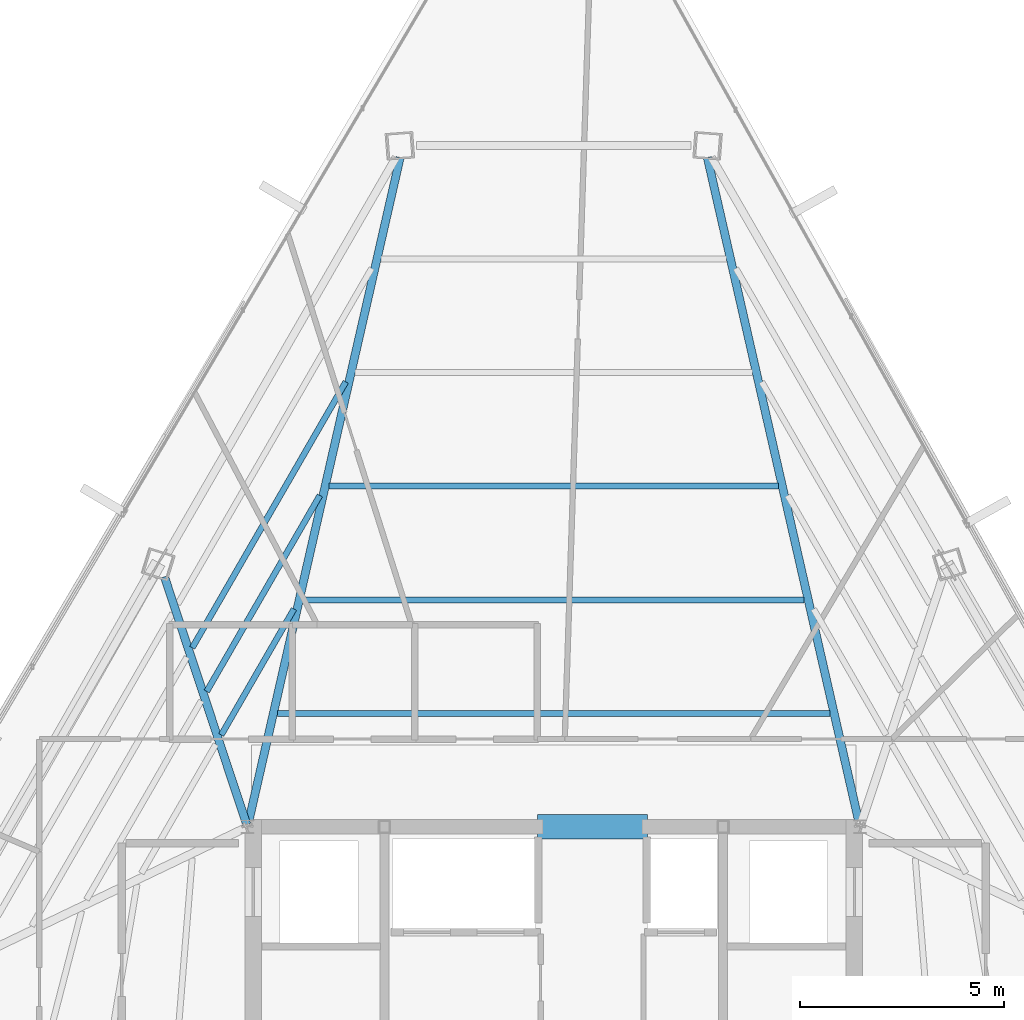
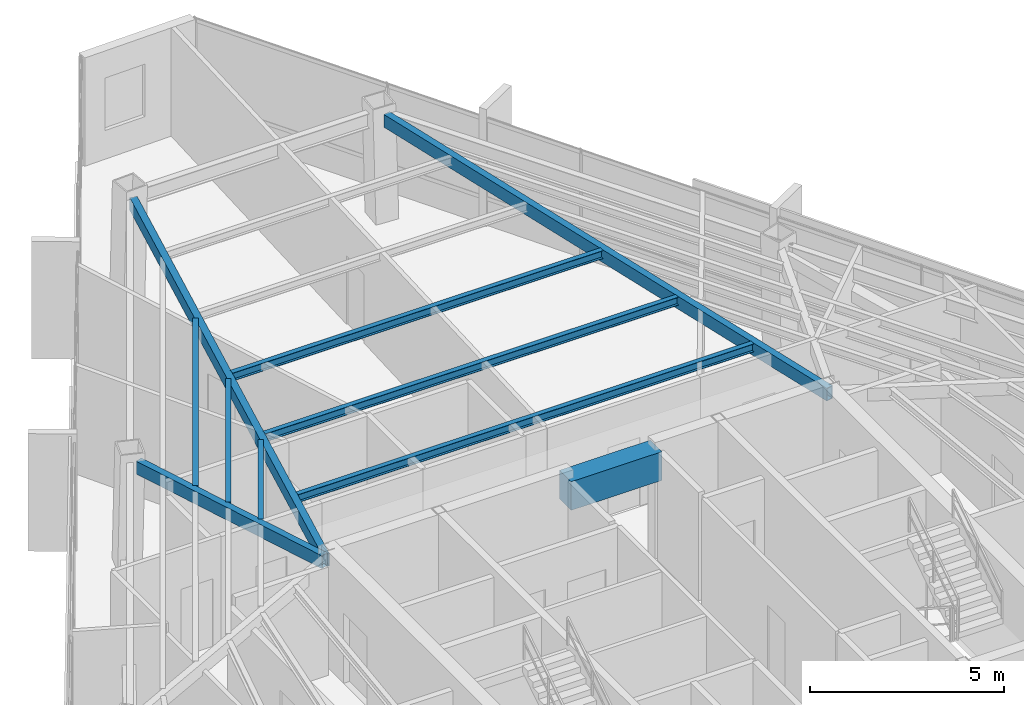
# One storey, part 18 of 44: 10 beams.
"""IFC4 building model written with IfcOpenShell, lengths in metres."""

from ifc_helpers import new_model, si_unit, direction, frame, origin, origin_2d, place, context, subcontext, project, spatial, rectangle, hollow_rectangle, i_section, extrude, source, transform, mapped, material, material_profile, profile_set, type_object, type_shapes, element, save


model = new_model("IFC4")

# Units and contexts
model_context = context("Model", 3, precision=1e-05, world=origin(), true_north=direction((0.0, 1.0)))
body_context = subcontext(model_context, "Body", "Model", "MODEL_VIEW")
ifc_project = project(units=[si_unit("LENGTHUNIT", "METRE"), si_unit("AREAUNIT", "SQUARE_METRE"), si_unit("VOLUMEUNIT", "CUBIC_METRE"), si_unit("PLANEANGLEUNIT", "RADIAN"), si_unit("MASSUNIT", "GRAM", prefix="KILO")], contexts=[model_context])

# Site, building, storey
site_placement = place(None, origin())
site = spatial("IfcSite", under=ifc_project, at=site_placement, CompositionType="ELEMENT")
building_placement = place(site_placement, origin())
building = spatial("IfcBuilding", under=site, at=building_placement, Name="Caelisora Broadcast Tower", CompositionType="ELEMENT")
storey_placement = place(building_placement, frame((0.0, 0.0, 259.050048828125)))
storey = spatial("IfcBuildingStorey", under=building, at=storey_placement, Name="L68", CompositionType="ELEMENT", Elevation=259.050048828125)

# Beams
ifc_material_1 = material(Name="Concrete 50 MPa (AS 3600 S50)", Category="concrete")
ifc_material_profile_1 = material_profile(ifc_material_1, rectangle(XDim=0.60009765625, YDim=0.89990234375, at=origin_2d()), Name="Concrete 50 MPa (AS 3600 S50)")
ifc_profile_set_1 = profile_set([ifc_material_profile_1], Name="Concrete 50 MPa (AS 3600 S50)")
beam_type_1 = type_object("IfcBeamType", Name="CB02", PredefinedType="LINTEL", material=ifc_profile_set_1)
shared_shape_1 = source(origin(), body_context, "Body", "SweptSolid", [
    extrude(rectangle(XDim=0.60009765625, YDim=0.89990234375, at=origin_2d()), origin(), (0.0, 0.0, 1.0), 2.699951171875),
])
type_shapes(beam_type_1, [shared_shape_1])
beam_1_placement = place(storey_placement, frame((37.60009765625, 30.0, 2.949951171875), z_axis=(1.0, 0.0, 0.0), x_axis=(0.0, 1.0, 0.0)))
element("IfcBeam", 1, at=beam_1_placement, inside=storey, type_object=beam_type_1, Name="L68 beam CB02", PredefinedType="LINTEL", context=body_context, shape_type="MappedRepresentation", body=[
    mapped(shared_shape_1, transform((0.0, 0.0, 0.0), scale=1.0)),
])
ifc_material_2 = material(Name="Steel Grade 350 (AS/NZS 1163 C350L0)", Category="steel")
ifc_material_profile_2 = material_profile(ifc_material_2, hollow_rectangle(XDim=0.199951171875, YDim=0.39990234375, WallThickness=0.012451171875, at=origin_2d()), Name="Steel Grade 350 (AS/NZS 1163 C350L0)")
ifc_profile_set_2 = profile_set([ifc_material_profile_2], Name="Steel Grade 350 (AS/NZS 1163 C350L0)")
beam_type_2 = type_object("IfcBeamType", Name="PG07", PredefinedType="BEAM", material=ifc_profile_set_2)
shared_shape_2 = source(origin(), body_context, "Body", "SweptSolid", [
    extrude(hollow_rectangle(XDim=0.199951171875, YDim=0.39990234375, WallThickness=0.012451171875, at=origin_2d()), origin(), (0.0, 0.0, 1.0), 16.756103515625),
])
for number, where, z_axis, x_axis, name in (
    (2, (45.48681640625, 30.05859375, 3.199951171875), (-0.222314413061, 0.974975026216, 0.0), (-0.974975026216, -0.222314413061, 0.0), "L68 beam PG07"),
    (3, (30.51318359375, 30.05859375, 3.199951171875), (0.222314413061, 0.974975026216, 0.0), (-0.974975026216, 0.222314413061, 0.0), "L68 beam PG07"),
):
    element("IfcBeam", number, at=place(storey_placement, frame(where, z_axis=z_axis, x_axis=x_axis)), inside=storey, type_object=beam_type_2, Name=name, PredefinedType="BEAM", context=body_context, shape_type="MappedRepresentation", body=[
        mapped(shared_shape_2, transform((0.0, 0.0, 0.0), scale=1.0)),
    ])
shared_shape_3 = source(origin(), body_context, "Body", "SweptSolid", [
    extrude(hollow_rectangle(XDim=0.199951171875, YDim=0.39990234375, WallThickness=0.012451171875, at=origin_2d()), origin(), (0.0, 0.0, 1.0), 6.39599609375),
])
type_shapes(beam_type_2, [shared_shape_2, shared_shape_3])
beam_2_placement = place(storey_placement, frame((30.481201171875, 30.056884765625, 3.199951171875), z_axis=(-0.315139684917, 0.949045298703, 0.0), x_axis=(-0.949045298703, -0.315139684917, 0.0)))
element("IfcBeam", 4, at=beam_2_placement, inside=storey, type_object=beam_type_2, Name="L68 beam PG07", PredefinedType="BEAM", context=body_context, shape_type="MappedRepresentation", body=[
    mapped(shared_shape_3, transform((0.0, 0.0, 0.0), scale=1.0)),
])
ifc_material_3 = material(Name="Steel Grade 350 (AS/NZS 3679.1)", Category="steel")
ifc_material_profile_3 = material_profile(ifc_material_3, i_section(OverallWidth=0.14599609375, OverallDepth=0.256103515625, WebThickness=0.00634765625, FlangeThickness=0.010986328125, at=origin_2d()), Name="Steel Grade 350 (AS/NZS 3679.1)")
ifc_profile_set_3 = profile_set([ifc_material_profile_3], Name="Steel Grade 350 (AS/NZS 3679.1)")
beam_type_3 = type_object("IfcBeamType", Name="SB04", PredefinedType="JOIST", material=ifc_profile_set_3)
shared_shape_4 = source(origin(), body_context, "Body", "SweptSolid", [
    extrude(i_section(OverallWidth=0.14599609375, OverallDepth=0.256103515625, WebThickness=0.00634765625, FlangeThickness=0.010986328125, at=origin_2d()), origin(), (0.0, 0.0, 1.0), 13.53271484375),
])
beam_3_placement = place(storey_placement, frame((44.766357421875, 32.781005859375, 3.27197265625), z_axis=(-1.0, 0.0, 0.0), x_axis=(0.0, -1.0, 0.0)))
element("IfcBeam", 5, at=beam_3_placement, inside=storey, type_object=beam_type_3, Name="L68 beam SB04", PredefinedType="JOIST", context=body_context, shape_type="MappedRepresentation", body=[
    mapped(shared_shape_4, transform((0.0, 0.0, 0.0), scale=1.0)),
])
shared_shape_5 = source(origin(), body_context, "Body", "SweptSolid", [
    extrude(i_section(OverallWidth=0.14599609375, OverallDepth=0.256103515625, WebThickness=0.00634765625, FlangeThickness=0.010986328125, at=origin_2d()), origin(), (0.0, 0.0, 1.0), 12.26416015625),
])
beam_4_placement = place(storey_placement, frame((44.132080078125, 35.56201171875, 3.27197265625), z_axis=(-1.0, 0.0, 0.0), x_axis=(0.0, -1.0, 0.0)))
element("IfcBeam", 6, at=beam_4_placement, inside=storey, type_object=beam_type_3, Name="L68 beam SB04", PredefinedType="JOIST", context=body_context, shape_type="MappedRepresentation", body=[
    mapped(shared_shape_5, transform((0.0, 0.0, 0.0), scale=1.0)),
])
shared_shape_6 = source(origin(), body_context, "Body", "SweptSolid", [
    extrude(i_section(OverallWidth=0.14599609375, OverallDepth=0.256103515625, WebThickness=0.00634765625, FlangeThickness=0.010986328125, at=origin_2d()), origin(), (0.0, 0.0, 1.0), 10.99658203125),
])
beam_5_placement = place(storey_placement, frame((43.498291015625, 38.343017578125, 3.27197265625), z_axis=(-1.0, 0.0, 0.0), x_axis=(0.0, -1.0, 0.0)))
element("IfcBeam", 7, at=beam_5_placement, inside=storey, type_object=beam_type_3, Name="L68 beam SB04", PredefinedType="JOIST", context=body_context, shape_type="MappedRepresentation", body=[
    mapped(shared_shape_6, transform((0.0, 0.0, 0.0), scale=1.0)),
])
shared_shape_7 = source(origin(), body_context, "Body", "SweptSolid", [
    extrude(i_section(OverallWidth=0.14599609375, OverallDepth=0.256103515625, WebThickness=0.00634765625, FlangeThickness=0.010986328125, at=origin_2d()), origin(), (0.0, 0.0, 1.0), 3.564453125),
])
beam_6_placement = place(storey_placement, frame((31.63818359375, 35.336669921875, 3.27197265625), z_axis=(-0.499999136801, -0.866025902152, 0.0), x_axis=(0.866025902152, -0.499999136801, 0.0)))
element("IfcBeam", 8, at=beam_6_placement, inside=storey, type_object=beam_type_3, Name="L68 beam SB04", PredefinedType="JOIST", context=body_context, shape_type="MappedRepresentation", body=[
    mapped(shared_shape_7, transform((0.0, 0.0, 0.0), scale=1.0)),
])
shared_shape_8 = source(origin(), body_context, "Body", "SweptSolid", [
    extrude(i_section(OverallWidth=0.14599609375, OverallDepth=0.256103515625, WebThickness=0.00634765625, FlangeThickness=0.010986328125, at=origin_2d()), origin(), (0.0, 0.0, 1.0), 5.5419921875),
])
beam_7_placement = place(storey_placement, frame((32.272216796875, 38.11767578125, 3.27197265625), z_axis=(-0.499995739832, -0.86602786338, 0.0), x_axis=(0.86602786338, -0.499995739832, 0.0)))
element("IfcBeam", 9, at=beam_7_placement, inside=storey, type_object=beam_type_3, Name="L68 beam SB04", PredefinedType="JOIST", context=body_context, shape_type="MappedRepresentation", body=[
    mapped(shared_shape_8, transform((0.0, 0.0, 0.0), scale=1.0)),
])
shared_shape_9 = source(origin(), body_context, "Body", "SweptSolid", [
    extrude(i_section(OverallWidth=0.14599609375, OverallDepth=0.256103515625, WebThickness=0.00634765625, FlangeThickness=0.010986328125, at=origin_2d()), origin(), (0.0, 0.0, 1.0), 7.519287109375),
])
type_shapes(beam_type_3, [shared_shape_4, shared_shape_5, shared_shape_6, shared_shape_7, shared_shape_8, shared_shape_9])
beam_8_placement = place(storey_placement, frame((32.90625, 40.8984375, 3.27197265625), z_axis=(-0.500008188502, -0.866020676099, 0.0), x_axis=(0.866020676099, -0.500008188502, 0.0)))
element("IfcBeam", 10, at=beam_8_placement, inside=storey, type_object=beam_type_3, Name="L68 beam SB04", PredefinedType="JOIST", context=body_context, shape_type="MappedRepresentation", body=[
    mapped(shared_shape_9, transform((0.0, 0.0, 0.0), scale=1.0)),
])

save(model, "model.ifc")
